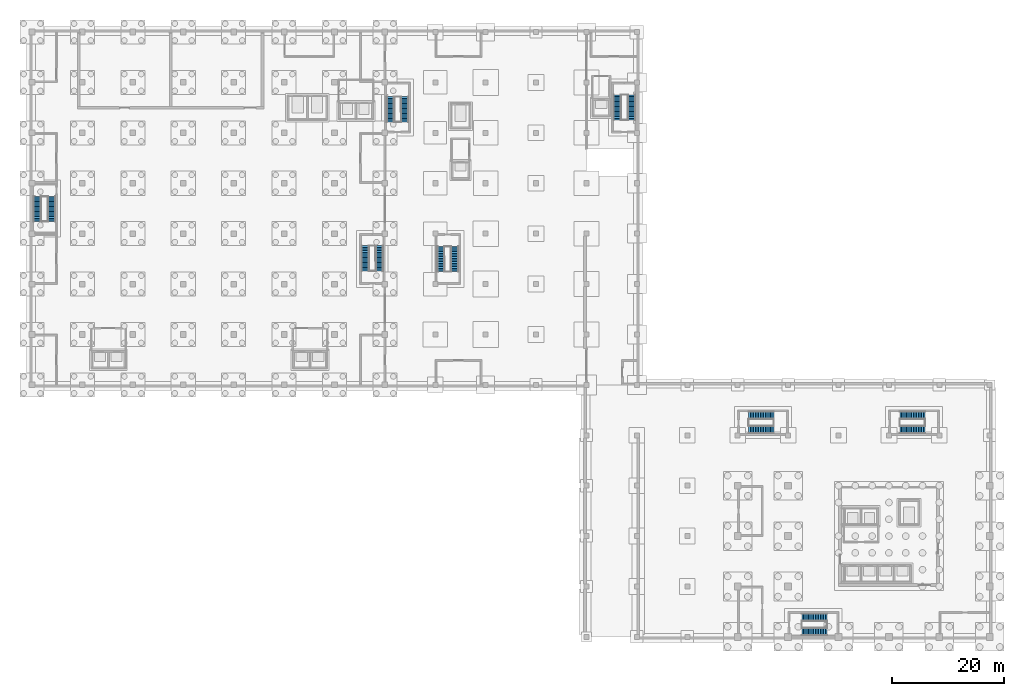
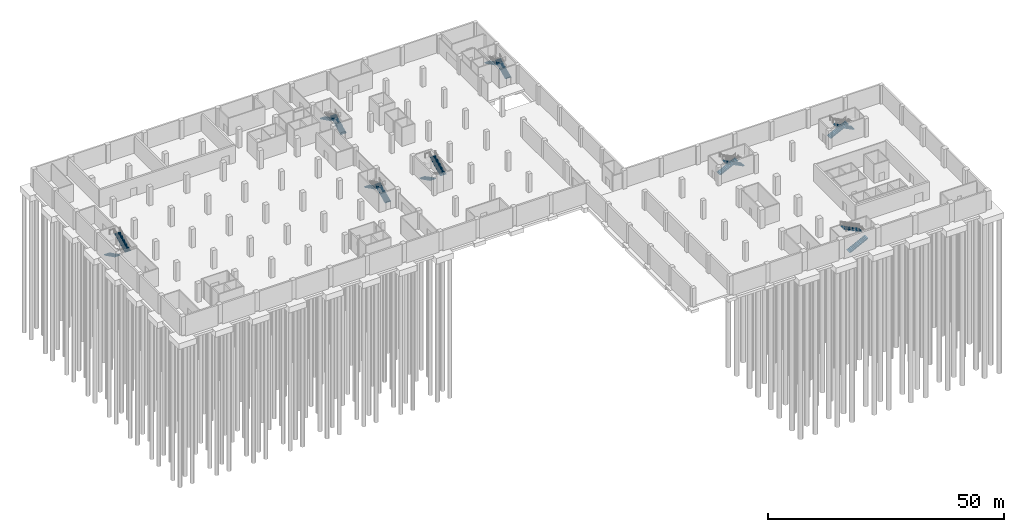
# One storey, part 14 of 17: 16 stair flights, 8 elements without a shape of their own.
"""IFC4 building model written with IfcOpenShell, lengths in metres."""

from ifc_helpers import new_model, si_unit, direction, frame, origin, place, context, subcontext, project, spatial, polyline, outline, extrude, material, type_object, element, aggregate, save


model = new_model("IFC4")

# Units and contexts
model_context = context("Model", 3, precision=1e-05, world=origin(), true_north=direction((0.0, 1.0)))
body_context = subcontext(model_context, "Body", "Model", "MODEL_VIEW")
ifc_project = project(units=[si_unit("LENGTHUNIT", "METRE"), si_unit("AREAUNIT", "SQUARE_METRE"), si_unit("VOLUMEUNIT", "CUBIC_METRE"), si_unit("PLANEANGLEUNIT", "RADIAN"), si_unit("MASSUNIT", "GRAM", prefix="KILO")], contexts=[model_context])

# Site, building, storey
site_placement = place(None, origin())
site = spatial("IfcSite", under=ifc_project, at=site_placement, CompositionType="ELEMENT")
building_placement = place(site_placement, origin())
building = spatial("IfcBuilding", under=site, at=building_placement, Name="Guidao Yard Department Store", CompositionType="ELEMENT")
storey_placement = place(building_placement, frame((0.0, 0.0, -9.89990234375)))
storey = spatial("IfcBuildingStorey", under=building, at=storey_placement, Name="B2", CompositionType="ELEMENT", Elevation=-9.89990234375)

# Stair, stair flights
ifc_material_1 = material(Name="Concrete C35", Category="concrete")
stair_type = type_object("IfcStairType", Name="Stair half-turn two-flight 1400 wide 4.8 m rise", PredefinedType="HALF_TURN_STAIR", material=ifc_material_1)
stair_1_placement = place(storey_placement, origin())
stair_1 = element("IfcStair", 1, at=stair_1_placement, inside=storey, type_object=stair_type, Name="Basement stair G1 B2 to B1", PredefinedType="HALF_TURN_STAIR")
ifc_material_2 = material(Name="Concrete C35", Category="concrete")
stair_flight_type = type_object("IfcStairFlightType", Name="Stair flight RC straight 1400 wide 16 risers x 300 going C35", PredefinedType="STRAIGHT", material=ifc_material_2)
stair_flight_1_placement = place(storey_placement, frame((72.949951171875, 69.699951171875, 0.0), z_axis=(0.0, 0.0, 1.0), x_axis=(0.0, -1.0, 0.0)))
stair_flight_1 = element("IfcStairFlight", 2, at=stair_flight_1_placement, type_object=stair_flight_type, Name="BSG1-B2 flight 1", NumberOfRisers=16, NumberOfTreads=15, PredefinedType="STRAIGHT", RiserHeight=0.15, TreadLength=0.3, context=body_context, shape_type="SweptSolid", body=[
    extrude(outline(polyline([(0.0, 0.0), (0.0, 0.14990234375), (0.300048828125, 0.14990234375), (0.300048828125, 0.300048828125), (0.60009765625, 0.300048828125), (0.60009765625, 0.449951171875), (0.89990234375, 0.449951171875), (0.89990234375, 0.60009765625), (1.199951171875, 0.60009765625), (1.199951171875, 0.75), (1.5, 0.75), (1.5, 0.89990234375), (1.800048828125, 0.89990234375), (1.800048828125, 1.050048828125), (2.10009765625, 1.050048828125), (2.10009765625, 1.199951171875), (2.39990234375, 1.199951171875), (2.39990234375, 1.35009765625), (2.699951171875, 1.35009765625), (2.699951171875, 1.5), (3.0, 1.5), (3.0, 1.64990234375), (3.300048828125, 1.64990234375), (3.300048828125, 1.800048828125), (3.60009765625, 1.800048828125), (3.60009765625, 1.949951171875), (3.89990234375, 1.949951171875), (3.89990234375, 2.10009765625), (4.199951171875, 2.10009765625), (4.199951171875, 2.25), (4.5, 2.25), (4.5, 2.39990234375), (4.5, 2.08251953125), (0.335205078125, 0.0), (0.0, 0.0)])), frame((0.0, 0.699951171875, 0.0), z_axis=(0.0, -1.0, 0.0), x_axis=(1.0, 0.0, 0.0)), (0.0, 0.0, 1.0), 1.39990234375),
])
stair_flight_2_placement = place(storey_placement, frame((75.5, 65.199951171875, 2.39990234375), z_axis=(0.0, 0.0, 1.0), x_axis=(0.0, 1.0, 0.0)))
stair_flight_2 = element("IfcStairFlight", 3, at=stair_flight_2_placement, type_object=stair_flight_type, Name="BSG1-B2 flight 2", NumberOfRisers=16, NumberOfTreads=15, PredefinedType="STRAIGHT", RiserHeight=0.15, TreadLength=0.3, context=body_context, shape_type="SweptSolid", body=[
    extrude(outline(polyline([(0.0, 0.0), (0.0, 0.14990234375), (0.300048828125, 0.14990234375), (0.300048828125, 0.300048828125), (0.60009765625, 0.300048828125), (0.60009765625, 0.449951171875), (0.89990234375, 0.449951171875), (0.89990234375, 0.60009765625), (1.199951171875, 0.60009765625), (1.199951171875, 0.75), (1.5, 0.75), (1.5, 0.89990234375), (1.800048828125, 0.89990234375), (1.800048828125, 1.050048828125), (2.10009765625, 1.050048828125), (2.10009765625, 1.199951171875), (2.39990234375, 1.199951171875), (2.39990234375, 1.35009765625), (2.699951171875, 1.35009765625), (2.699951171875, 1.5), (3.0, 1.5), (3.0, 1.64990234375), (3.300048828125, 1.64990234375), (3.300048828125, 1.800048828125), (3.60009765625, 1.800048828125), (3.60009765625, 1.949951171875), (3.89990234375, 1.949951171875), (3.89990234375, 2.10009765625), (4.199951171875, 2.10009765625), (4.199951171875, 2.25), (4.5, 2.25), (4.5, 2.39990234375), (4.5, 2.08251953125), (0.335205078125, 0.0), (0.0, 0.0)])), frame((0.0, 0.699951171875, 0.0), z_axis=(0.0, -1.0, 0.0), x_axis=(1.0, 0.0, 0.0)), (0.0, 0.0, 1.0), 1.39990234375),
])
aggregate(stair_1, [stair_flight_1, stair_flight_2])

stair_2_placement = place(storey_placement, origin())
stair_2 = element("IfcStair", 4, at=stair_2_placement, inside=storey, type_object=stair_type, Name="Basement stair G2 B2 to B1", PredefinedType="HALF_TURN_STAIR")
stair_flight_3_placement = place(storey_placement, frame((107.050048828125, 92.300048828125, 0.0), z_axis=(0.0, 0.0, 1.0), x_axis=(0.0, 1.0, 0.0)))
stair_flight_3 = element("IfcStairFlight", 5, at=stair_flight_3_placement, type_object=stair_flight_type, Name="BSG2-B2 flight 1", NumberOfRisers=16, NumberOfTreads=15, PredefinedType="STRAIGHT", RiserHeight=0.15, TreadLength=0.3, context=body_context, shape_type="SweptSolid", body=[
    extrude(outline(polyline([(0.0, 0.0), (0.0, 0.14990234375), (0.300048828125, 0.14990234375), (0.300048828125, 0.300048828125), (0.60009765625, 0.300048828125), (0.60009765625, 0.449951171875), (0.89990234375, 0.449951171875), (0.89990234375, 0.60009765625), (1.199951171875, 0.60009765625), (1.199951171875, 0.75), (1.5, 0.75), (1.5, 0.89990234375), (1.800048828125, 0.89990234375), (1.800048828125, 1.050048828125), (2.10009765625, 1.050048828125), (2.10009765625, 1.199951171875), (2.39990234375, 1.199951171875), (2.39990234375, 1.35009765625), (2.699951171875, 1.35009765625), (2.699951171875, 1.5), (3.0, 1.5), (3.0, 1.64990234375), (3.300048828125, 1.64990234375), (3.300048828125, 1.800048828125), (3.60009765625, 1.800048828125), (3.60009765625, 1.949951171875), (3.89990234375, 1.949951171875), (3.89990234375, 2.10009765625), (4.199951171875, 2.10009765625), (4.199951171875, 2.25), (4.5, 2.25), (4.5, 2.39990234375), (4.5, 2.08251953125), (0.335205078125, 0.0), (0.0, 0.0)])), frame((0.0, 0.699951171875, 0.0), z_axis=(0.0, -1.0, 0.0), x_axis=(1.0, 0.0, 0.0)), (0.0, 0.0, 1.0), 1.39990234375),
])
stair_flight_4_placement = place(storey_placement, frame((104.5, 96.800048828125, 2.39990234375), z_axis=(0.0, 0.0, 1.0), x_axis=(0.0, -1.0, 0.0)))
stair_flight_4 = element("IfcStairFlight", 6, at=stair_flight_4_placement, type_object=stair_flight_type, Name="BSG2-B2 flight 2", NumberOfRisers=16, NumberOfTreads=15, PredefinedType="STRAIGHT", RiserHeight=0.15, TreadLength=0.3, context=body_context, shape_type="SweptSolid", body=[
    extrude(outline(polyline([(0.0, 0.0), (0.0, 0.14990234375), (0.300048828125, 0.14990234375), (0.300048828125, 0.300048828125), (0.60009765625, 0.300048828125), (0.60009765625, 0.449951171875), (0.89990234375, 0.449951171875), (0.89990234375, 0.60009765625), (1.199951171875, 0.60009765625), (1.199951171875, 0.75), (1.5, 0.75), (1.5, 0.89990234375), (1.800048828125, 0.89990234375), (1.800048828125, 1.050048828125), (2.10009765625, 1.050048828125), (2.10009765625, 1.199951171875), (2.39990234375, 1.199951171875), (2.39990234375, 1.35009765625), (2.699951171875, 1.35009765625), (2.699951171875, 1.5), (3.0, 1.5), (3.0, 1.64990234375), (3.300048828125, 1.64990234375), (3.300048828125, 1.800048828125), (3.60009765625, 1.800048828125), (3.60009765625, 1.949951171875), (3.89990234375, 1.949951171875), (3.89990234375, 2.10009765625), (4.199951171875, 2.10009765625), (4.199951171875, 2.25), (4.5, 2.25), (4.5, 2.39990234375), (4.5, 2.08251953125), (0.335205078125, 0.0), (0.0, 0.0)])), frame((0.0, 0.699951171875, 0.0), z_axis=(0.0, -1.0, 0.0), x_axis=(1.0, 0.0, 0.0)), (0.0, 0.0, 1.0), 1.39990234375),
])
aggregate(stair_2, [stair_flight_3, stair_flight_4])

stair_3_placement = place(storey_placement, origin())
stair_3 = element("IfcStair", 7, at=stair_3_placement, inside=storey, type_object=stair_type, Name="Basement stair H1 B2 to B1", PredefinedType="HALF_TURN_STAIR")
stair_flight_5_placement = place(storey_placement, frame((0.949951171875, 78.64990234375, 0.0), z_axis=(0.0, 0.0, 1.0), x_axis=(0.0, -1.0, 0.0)))
stair_flight_5 = element("IfcStairFlight", 8, at=stair_flight_5_placement, type_object=stair_flight_type, Name="BSH1-B2 flight 1", NumberOfRisers=16, NumberOfTreads=15, PredefinedType="STRAIGHT", RiserHeight=0.15, TreadLength=0.3, context=body_context, shape_type="SweptSolid", body=[
    extrude(outline(polyline([(0.0, 0.0), (0.0, 0.14990234375), (0.300048828125, 0.14990234375), (0.300048828125, 0.300048828125), (0.60009765625, 0.300048828125), (0.60009765625, 0.449951171875), (0.89990234375, 0.449951171875), (0.89990234375, 0.60009765625), (1.199951171875, 0.60009765625), (1.199951171875, 0.75), (1.5, 0.75), (1.5, 0.89990234375), (1.800048828125, 0.89990234375), (1.800048828125, 1.050048828125), (2.10009765625, 1.050048828125), (2.10009765625, 1.199951171875), (2.39990234375, 1.199951171875), (2.39990234375, 1.35009765625), (2.699951171875, 1.35009765625), (2.699951171875, 1.5), (3.0, 1.5), (3.0, 1.64990234375), (3.300048828125, 1.64990234375), (3.300048828125, 1.800048828125), (3.60009765625, 1.800048828125), (3.60009765625, 1.949951171875), (3.89990234375, 1.949951171875), (3.89990234375, 2.10009765625), (4.199951171875, 2.10009765625), (4.199951171875, 2.25), (4.5, 2.25), (4.5, 2.39990234375), (4.5, 2.08251953125), (0.335205078125, 0.0), (0.0, 0.0)])), frame((0.0, 0.699951171875, 0.0), z_axis=(0.0, -1.0, 0.0), x_axis=(1.0, 0.0, 0.0)), (0.0, 0.0, 1.0), 1.39990234375),
])
stair_flight_6_placement = place(storey_placement, frame((3.5, 74.14990234375, 2.39990234375), z_axis=(0.0, 0.0, 1.0), x_axis=(0.0, 1.0, 0.0)))
stair_flight_6 = element("IfcStairFlight", 9, at=stair_flight_6_placement, type_object=stair_flight_type, Name="BSH1-B2 flight 2", NumberOfRisers=16, NumberOfTreads=15, PredefinedType="STRAIGHT", RiserHeight=0.15, TreadLength=0.3, context=body_context, shape_type="SweptSolid", body=[
    extrude(outline(polyline([(0.0, 0.0), (0.0, 0.14990234375), (0.300048828125, 0.14990234375), (0.300048828125, 0.300048828125), (0.60009765625, 0.300048828125), (0.60009765625, 0.449951171875), (0.89990234375, 0.449951171875), (0.89990234375, 0.60009765625), (1.199951171875, 0.60009765625), (1.199951171875, 0.75), (1.5, 0.75), (1.5, 0.89990234375), (1.800048828125, 0.89990234375), (1.800048828125, 1.050048828125), (2.10009765625, 1.050048828125), (2.10009765625, 1.199951171875), (2.39990234375, 1.199951171875), (2.39990234375, 1.35009765625), (2.699951171875, 1.35009765625), (2.699951171875, 1.5), (3.0, 1.5), (3.0, 1.64990234375), (3.300048828125, 1.64990234375), (3.300048828125, 1.800048828125), (3.60009765625, 1.800048828125), (3.60009765625, 1.949951171875), (3.89990234375, 1.949951171875), (3.89990234375, 2.10009765625), (4.199951171875, 2.10009765625), (4.199951171875, 2.25), (4.5, 2.25), (4.5, 2.39990234375), (4.5, 2.08251953125), (0.335205078125, 0.0), (0.0, 0.0)])), frame((0.0, 0.699951171875, 0.0), z_axis=(0.0, -1.0, 0.0), x_axis=(1.0, 0.0, 0.0)), (0.0, 0.0, 1.0), 1.39990234375),
])
aggregate(stair_3, [stair_flight_5, stair_flight_6])

stair_4_placement = place(storey_placement, origin())
stair_4 = element("IfcStair", 10, at=stair_4_placement, inside=storey, type_object=stair_type, Name="Basement stair H2 B2 to B1", PredefinedType="HALF_TURN_STAIR")
stair_flight_7_placement = place(storey_placement, frame((66.550048828125, 91.949951171875, 0.0), z_axis=(0.0, 0.0, 1.0), x_axis=(0.0, 1.0, 0.0)))
stair_flight_7 = element("IfcStairFlight", 11, at=stair_flight_7_placement, type_object=stair_flight_type, Name="BSH2-B2 flight 1", NumberOfRisers=16, NumberOfTreads=15, PredefinedType="STRAIGHT", RiserHeight=0.15, TreadLength=0.3, context=body_context, shape_type="SweptSolid", body=[
    extrude(outline(polyline([(0.0, 0.0), (0.0, 0.14990234375), (0.300048828125, 0.14990234375), (0.300048828125, 0.300048828125), (0.60009765625, 0.300048828125), (0.60009765625, 0.449951171875), (0.89990234375, 0.449951171875), (0.89990234375, 0.60009765625), (1.199951171875, 0.60009765625), (1.199951171875, 0.75), (1.5, 0.75), (1.5, 0.89990234375), (1.800048828125, 0.89990234375), (1.800048828125, 1.050048828125), (2.10009765625, 1.050048828125), (2.10009765625, 1.199951171875), (2.39990234375, 1.199951171875), (2.39990234375, 1.35009765625), (2.699951171875, 1.35009765625), (2.699951171875, 1.5), (3.0, 1.5), (3.0, 1.64990234375), (3.300048828125, 1.64990234375), (3.300048828125, 1.800048828125), (3.60009765625, 1.800048828125), (3.60009765625, 1.949951171875), (3.89990234375, 1.949951171875), (3.89990234375, 2.10009765625), (4.199951171875, 2.10009765625), (4.199951171875, 2.25), (4.5, 2.25), (4.5, 2.39990234375), (4.5, 2.08251953125), (0.335205078125, 0.0), (0.0, 0.0)])), frame((0.0, 0.699951171875, 0.0), z_axis=(0.0, -1.0, 0.0), x_axis=(1.0, 0.0, 0.0)), (0.0, 0.0, 1.0), 1.39990234375),
])
stair_flight_8_placement = place(storey_placement, frame((64.0, 96.449951171875, 2.39990234375), z_axis=(0.0, 0.0, 1.0), x_axis=(0.0, -1.0, 0.0)))
stair_flight_8 = element("IfcStairFlight", 12, at=stair_flight_8_placement, type_object=stair_flight_type, Name="BSH2-B2 flight 2", NumberOfRisers=16, NumberOfTreads=15, PredefinedType="STRAIGHT", RiserHeight=0.15, TreadLength=0.3, context=body_context, shape_type="SweptSolid", body=[
    extrude(outline(polyline([(0.0, 0.0), (0.0, 0.14990234375), (0.300048828125, 0.14990234375), (0.300048828125, 0.300048828125), (0.60009765625, 0.300048828125), (0.60009765625, 0.449951171875), (0.89990234375, 0.449951171875), (0.89990234375, 0.60009765625), (1.199951171875, 0.60009765625), (1.199951171875, 0.75), (1.5, 0.75), (1.5, 0.89990234375), (1.800048828125, 0.89990234375), (1.800048828125, 1.050048828125), (2.10009765625, 1.050048828125), (2.10009765625, 1.199951171875), (2.39990234375, 1.199951171875), (2.39990234375, 1.35009765625), (2.699951171875, 1.35009765625), (2.699951171875, 1.5), (3.0, 1.5), (3.0, 1.64990234375), (3.300048828125, 1.64990234375), (3.300048828125, 1.800048828125), (3.60009765625, 1.800048828125), (3.60009765625, 1.949951171875), (3.89990234375, 1.949951171875), (3.89990234375, 2.10009765625), (4.199951171875, 2.10009765625), (4.199951171875, 2.25), (4.5, 2.25), (4.5, 2.39990234375), (4.5, 2.08251953125), (0.335205078125, 0.0), (0.0, 0.0)])), frame((0.0, 0.699951171875, 0.0), z_axis=(0.0, -1.0, 0.0), x_axis=(1.0, 0.0, 0.0)), (0.0, 0.0, 1.0), 1.39990234375),
])
aggregate(stair_4, [stair_flight_7, stair_flight_8])

stair_5_placement = place(storey_placement, origin())
stair_5 = element("IfcStair", 13, at=stair_5_placement, inside=storey, type_object=stair_type, Name="Basement stair H3 B2 to B1", PredefinedType="HALF_TURN_STAIR")
stair_flight_9_placement = place(storey_placement, frame((62.050048828125, 65.35009765625, 0.0), z_axis=(0.0, 0.0, 1.0), x_axis=(0.0, 1.0, 0.0)))
stair_flight_9 = element("IfcStairFlight", 14, at=stair_flight_9_placement, type_object=stair_flight_type, Name="BSH3-B2 flight 1", NumberOfRisers=16, NumberOfTreads=15, PredefinedType="STRAIGHT", RiserHeight=0.15, TreadLength=0.3, context=body_context, shape_type="SweptSolid", body=[
    extrude(outline(polyline([(0.0, 0.0), (0.0, 0.14990234375), (0.300048828125, 0.14990234375), (0.300048828125, 0.300048828125), (0.60009765625, 0.300048828125), (0.60009765625, 0.449951171875), (0.89990234375, 0.449951171875), (0.89990234375, 0.60009765625), (1.199951171875, 0.60009765625), (1.199951171875, 0.75), (1.5, 0.75), (1.5, 0.89990234375), (1.800048828125, 0.89990234375), (1.800048828125, 1.050048828125), (2.10009765625, 1.050048828125), (2.10009765625, 1.199951171875), (2.39990234375, 1.199951171875), (2.39990234375, 1.35009765625), (2.699951171875, 1.35009765625), (2.699951171875, 1.5), (3.0, 1.5), (3.0, 1.64990234375), (3.300048828125, 1.64990234375), (3.300048828125, 1.800048828125), (3.60009765625, 1.800048828125), (3.60009765625, 1.949951171875), (3.89990234375, 1.949951171875), (3.89990234375, 2.10009765625), (4.199951171875, 2.10009765625), (4.199951171875, 2.25), (4.5, 2.25), (4.5, 2.39990234375), (4.5, 2.08251953125), (0.335205078125, 0.0), (0.0, 0.0)])), frame((0.0, 0.699951171875, 0.0), z_axis=(0.0, -1.0, 0.0), x_axis=(1.0, 0.0, 0.0)), (0.0, 0.0, 1.0), 1.39990234375),
])
stair_flight_10_placement = place(storey_placement, frame((59.5, 69.85009765625, 2.39990234375), z_axis=(0.0, 0.0, 1.0), x_axis=(0.0, -1.0, 0.0)))
stair_flight_10 = element("IfcStairFlight", 15, at=stair_flight_10_placement, type_object=stair_flight_type, Name="BSH3-B2 flight 2", NumberOfRisers=16, NumberOfTreads=15, PredefinedType="STRAIGHT", RiserHeight=0.15, TreadLength=0.3, context=body_context, shape_type="SweptSolid", body=[
    extrude(outline(polyline([(0.0, 0.0), (0.0, 0.14990234375), (0.300048828125, 0.14990234375), (0.300048828125, 0.300048828125), (0.60009765625, 0.300048828125), (0.60009765625, 0.449951171875), (0.89990234375, 0.449951171875), (0.89990234375, 0.60009765625), (1.199951171875, 0.60009765625), (1.199951171875, 0.75), (1.5, 0.75), (1.5, 0.89990234375), (1.800048828125, 0.89990234375), (1.800048828125, 1.050048828125), (2.10009765625, 1.050048828125), (2.10009765625, 1.199951171875), (2.39990234375, 1.199951171875), (2.39990234375, 1.35009765625), (2.699951171875, 1.35009765625), (2.699951171875, 1.5), (3.0, 1.5), (3.0, 1.64990234375), (3.300048828125, 1.64990234375), (3.300048828125, 1.800048828125), (3.60009765625, 1.800048828125), (3.60009765625, 1.949951171875), (3.89990234375, 1.949951171875), (3.89990234375, 2.10009765625), (4.199951171875, 2.10009765625), (4.199951171875, 2.25), (4.5, 2.25), (4.5, 2.39990234375), (4.5, 2.08251953125), (0.335205078125, 0.0), (0.0, 0.0)])), frame((0.0, 0.699951171875, 0.0), z_axis=(0.0, -1.0, 0.0), x_axis=(1.0, 0.0, 0.0)), (0.0, 0.0, 1.0), 1.39990234375),
])
aggregate(stair_5, [stair_flight_9, stair_flight_10])

stair_6_placement = place(storey_placement, origin())
stair_6 = element("IfcStair", 16, at=stair_6_placement, inside=storey, type_object=stair_type, Name="Basement stair O1 B2 to B1", PredefinedType="HALF_TURN_STAIR")
stair_flight_11_placement = place(storey_placement, frame((137.449951171875, 0.949951171875, 0.0), z_axis=(0.0, 0.0, 1.0), x_axis=(1.0, 0.0, 0.0)))
stair_flight_11 = element("IfcStairFlight", 17, at=stair_flight_11_placement, type_object=stair_flight_type, Name="BSO1-B2 flight 1", NumberOfRisers=16, NumberOfTreads=15, PredefinedType="STRAIGHT", RiserHeight=0.15, TreadLength=0.3, context=body_context, shape_type="SweptSolid", body=[
    extrude(outline(polyline([(0.0, 0.0), (0.0, 0.14990234375), (0.300048828125, 0.14990234375), (0.300048828125, 0.300048828125), (0.60009765625, 0.300048828125), (0.60009765625, 0.449951171875), (0.89990234375, 0.449951171875), (0.89990234375, 0.60009765625), (1.199951171875, 0.60009765625), (1.199951171875, 0.75), (1.5, 0.75), (1.5, 0.89990234375), (1.800048828125, 0.89990234375), (1.800048828125, 1.050048828125), (2.10009765625, 1.050048828125), (2.10009765625, 1.199951171875), (2.39990234375, 1.199951171875), (2.39990234375, 1.35009765625), (2.699951171875, 1.35009765625), (2.699951171875, 1.5), (3.0, 1.5), (3.0, 1.64990234375), (3.300048828125, 1.64990234375), (3.300048828125, 1.800048828125), (3.60009765625, 1.800048828125), (3.60009765625, 1.949951171875), (3.89990234375, 1.949951171875), (3.89990234375, 2.10009765625), (4.199951171875, 2.10009765625), (4.199951171875, 2.25), (4.5, 2.25), (4.5, 2.39990234375), (4.5, 2.08251953125), (0.335205078125, 0.0), (0.0, 0.0)])), frame((0.0, 0.699951171875, 0.0), z_axis=(0.0, -1.0, 0.0), x_axis=(1.0, 0.0, 0.0)), (0.0, 0.0, 1.0), 1.39990234375),
])
stair_flight_12_placement = place(storey_placement, frame((141.949951171875, 3.5, 2.39990234375), z_axis=(0.0, 0.0, 1.0), x_axis=(-1.0, 0.0, 0.0)))
stair_flight_12 = element("IfcStairFlight", 18, at=stair_flight_12_placement, type_object=stair_flight_type, Name="BSO1-B2 flight 2", NumberOfRisers=16, NumberOfTreads=15, PredefinedType="STRAIGHT", RiserHeight=0.15, TreadLength=0.3, context=body_context, shape_type="SweptSolid", body=[
    extrude(outline(polyline([(0.0, 0.0), (0.0, 0.14990234375), (0.300048828125, 0.14990234375), (0.300048828125, 0.300048828125), (0.60009765625, 0.300048828125), (0.60009765625, 0.449951171875), (0.89990234375, 0.449951171875), (0.89990234375, 0.60009765625), (1.199951171875, 0.60009765625), (1.199951171875, 0.75), (1.5, 0.75), (1.5, 0.89990234375), (1.800048828125, 0.89990234375), (1.800048828125, 1.050048828125), (2.10009765625, 1.050048828125), (2.10009765625, 1.199951171875), (2.39990234375, 1.199951171875), (2.39990234375, 1.35009765625), (2.699951171875, 1.35009765625), (2.699951171875, 1.5), (3.0, 1.5), (3.0, 1.64990234375), (3.300048828125, 1.64990234375), (3.300048828125, 1.800048828125), (3.60009765625, 1.800048828125), (3.60009765625, 1.949951171875), (3.89990234375, 1.949951171875), (3.89990234375, 2.10009765625), (4.199951171875, 2.10009765625), (4.199951171875, 2.25), (4.5, 2.25), (4.5, 2.39990234375), (4.5, 2.08251953125), (0.335205078125, 0.0), (0.0, 0.0)])), frame((0.0, 0.699951171875, 0.0), z_axis=(0.0, -1.0, 0.0), x_axis=(1.0, 0.0, 0.0)), (0.0, 0.0, 1.0), 1.39990234375),
])
aggregate(stair_6, [stair_flight_11, stair_flight_12])

stair_7_placement = place(storey_placement, origin())
stair_7 = element("IfcStair", 19, at=stair_7_placement, inside=storey, type_object=stair_type, Name="Basement stair Y1 B2 to B1", PredefinedType="HALF_TURN_STAIR")
stair_flight_13_placement = place(storey_placement, frame((127.949951171875, 39.550048828125, 0.0), z_axis=(0.0, 0.0, 1.0), x_axis=(1.0, 0.0, 0.0)))
stair_flight_13 = element("IfcStairFlight", 20, at=stair_flight_13_placement, type_object=stair_flight_type, Name="BSY1-B2 flight 1", NumberOfRisers=16, NumberOfTreads=15, PredefinedType="STRAIGHT", RiserHeight=0.15, TreadLength=0.3, context=body_context, shape_type="SweptSolid", body=[
    extrude(outline(polyline([(0.0, 0.0), (0.0, 0.14990234375), (0.300048828125, 0.14990234375), (0.300048828125, 0.300048828125), (0.60009765625, 0.300048828125), (0.60009765625, 0.449951171875), (0.89990234375, 0.449951171875), (0.89990234375, 0.60009765625), (1.199951171875, 0.60009765625), (1.199951171875, 0.75), (1.5, 0.75), (1.5, 0.89990234375), (1.800048828125, 0.89990234375), (1.800048828125, 1.050048828125), (2.10009765625, 1.050048828125), (2.10009765625, 1.199951171875), (2.39990234375, 1.199951171875), (2.39990234375, 1.35009765625), (2.699951171875, 1.35009765625), (2.699951171875, 1.5), (3.0, 1.5), (3.0, 1.64990234375), (3.300048828125, 1.64990234375), (3.300048828125, 1.800048828125), (3.60009765625, 1.800048828125), (3.60009765625, 1.949951171875), (3.89990234375, 1.949951171875), (3.89990234375, 2.10009765625), (4.199951171875, 2.10009765625), (4.199951171875, 2.25), (4.5, 2.25), (4.5, 2.39990234375), (4.5, 2.08251953125), (0.335205078125, 0.0), (0.0, 0.0)])), frame((0.0, 0.699951171875, 0.0), z_axis=(0.0, -1.0, 0.0), x_axis=(1.0, 0.0, 0.0)), (0.0, 0.0, 1.0), 1.39990234375),
])
stair_flight_14_placement = place(storey_placement, frame((132.449951171875, 37.0, 2.39990234375), z_axis=(0.0, 0.0, 1.0), x_axis=(-1.0, 0.0, 0.0)))
stair_flight_14 = element("IfcStairFlight", 21, at=stair_flight_14_placement, type_object=stair_flight_type, Name="BSY1-B2 flight 2", NumberOfRisers=16, NumberOfTreads=15, PredefinedType="STRAIGHT", RiserHeight=0.15, TreadLength=0.3, context=body_context, shape_type="SweptSolid", body=[
    extrude(outline(polyline([(0.0, 0.0), (0.0, 0.14990234375), (0.300048828125, 0.14990234375), (0.300048828125, 0.300048828125), (0.60009765625, 0.300048828125), (0.60009765625, 0.449951171875), (0.89990234375, 0.449951171875), (0.89990234375, 0.60009765625), (1.199951171875, 0.60009765625), (1.199951171875, 0.75), (1.5, 0.75), (1.5, 0.89990234375), (1.800048828125, 0.89990234375), (1.800048828125, 1.050048828125), (2.10009765625, 1.050048828125), (2.10009765625, 1.199951171875), (2.39990234375, 1.199951171875), (2.39990234375, 1.35009765625), (2.699951171875, 1.35009765625), (2.699951171875, 1.5), (3.0, 1.5), (3.0, 1.64990234375), (3.300048828125, 1.64990234375), (3.300048828125, 1.800048828125), (3.60009765625, 1.800048828125), (3.60009765625, 1.949951171875), (3.89990234375, 1.949951171875), (3.89990234375, 2.10009765625), (4.199951171875, 2.10009765625), (4.199951171875, 2.25), (4.5, 2.25), (4.5, 2.39990234375), (4.5, 2.08251953125), (0.335205078125, 0.0), (0.0, 0.0)])), frame((0.0, 0.699951171875, 0.0), z_axis=(0.0, -1.0, 0.0), x_axis=(1.0, 0.0, 0.0)), (0.0, 0.0, 1.0), 1.39990234375),
])
aggregate(stair_7, [stair_flight_13, stair_flight_14])

stair_8_placement = place(storey_placement, origin())
stair_8 = element("IfcStair", 22, at=stair_8_placement, inside=storey, type_object=stair_type, Name="Basement stair Y2 B2 to B1", PredefinedType="HALF_TURN_STAIR")
stair_flight_15_placement = place(storey_placement, frame((154.949951171875, 39.550048828125, 0.0), z_axis=(0.0, 0.0, 1.0), x_axis=(1.0, 0.0, 0.0)))
stair_flight_15 = element("IfcStairFlight", 23, at=stair_flight_15_placement, type_object=stair_flight_type, Name="BSY2-B2 flight 1", NumberOfRisers=16, NumberOfTreads=15, PredefinedType="STRAIGHT", RiserHeight=0.15, TreadLength=0.3, context=body_context, shape_type="SweptSolid", body=[
    extrude(outline(polyline([(0.0, 0.0), (0.0, 0.14990234375), (0.300048828125, 0.14990234375), (0.300048828125, 0.300048828125), (0.60009765625, 0.300048828125), (0.60009765625, 0.449951171875), (0.89990234375, 0.449951171875), (0.89990234375, 0.60009765625), (1.199951171875, 0.60009765625), (1.199951171875, 0.75), (1.5, 0.75), (1.5, 0.89990234375), (1.800048828125, 0.89990234375), (1.800048828125, 1.050048828125), (2.10009765625, 1.050048828125), (2.10009765625, 1.199951171875), (2.39990234375, 1.199951171875), (2.39990234375, 1.35009765625), (2.699951171875, 1.35009765625), (2.699951171875, 1.5), (3.0, 1.5), (3.0, 1.64990234375), (3.300048828125, 1.64990234375), (3.300048828125, 1.800048828125), (3.60009765625, 1.800048828125), (3.60009765625, 1.949951171875), (3.89990234375, 1.949951171875), (3.89990234375, 2.10009765625), (4.199951171875, 2.10009765625), (4.199951171875, 2.25), (4.5, 2.25), (4.5, 2.39990234375), (4.5, 2.08251953125), (0.335205078125, 0.0), (0.0, 0.0)])), frame((0.0, 0.699951171875, 0.0), z_axis=(0.0, -1.0, 0.0), x_axis=(1.0, 0.0, 0.0)), (0.0, 0.0, 1.0), 1.39990234375),
])
stair_flight_16_placement = place(storey_placement, frame((159.449951171875, 37.0, 2.39990234375), z_axis=(0.0, 0.0, 1.0), x_axis=(-1.0, 0.0, 0.0)))
stair_flight_16 = element("IfcStairFlight", 24, at=stair_flight_16_placement, type_object=stair_flight_type, Name="BSY2-B2 flight 2", NumberOfRisers=16, NumberOfTreads=15, PredefinedType="STRAIGHT", RiserHeight=0.15, TreadLength=0.3, context=body_context, shape_type="SweptSolid", body=[
    extrude(outline(polyline([(0.0, 0.0), (0.0, 0.14990234375), (0.300048828125, 0.14990234375), (0.300048828125, 0.300048828125), (0.60009765625, 0.300048828125), (0.60009765625, 0.449951171875), (0.89990234375, 0.449951171875), (0.89990234375, 0.60009765625), (1.199951171875, 0.60009765625), (1.199951171875, 0.75), (1.5, 0.75), (1.5, 0.89990234375), (1.800048828125, 0.89990234375), (1.800048828125, 1.050048828125), (2.10009765625, 1.050048828125), (2.10009765625, 1.199951171875), (2.39990234375, 1.199951171875), (2.39990234375, 1.35009765625), (2.699951171875, 1.35009765625), (2.699951171875, 1.5), (3.0, 1.5), (3.0, 1.64990234375), (3.300048828125, 1.64990234375), (3.300048828125, 1.800048828125), (3.60009765625, 1.800048828125), (3.60009765625, 1.949951171875), (3.89990234375, 1.949951171875), (3.89990234375, 2.10009765625), (4.199951171875, 2.10009765625), (4.199951171875, 2.25), (4.5, 2.25), (4.5, 2.39990234375), (4.5, 2.08251953125), (0.335205078125, 0.0), (0.0, 0.0)])), frame((0.0, 0.699951171875, 0.0), z_axis=(0.0, -1.0, 0.0), x_axis=(1.0, 0.0, 0.0)), (0.0, 0.0, 1.0), 1.39990234375),
])
aggregate(stair_8, [stair_flight_15, stair_flight_16])

save(model, "model.ifc")
